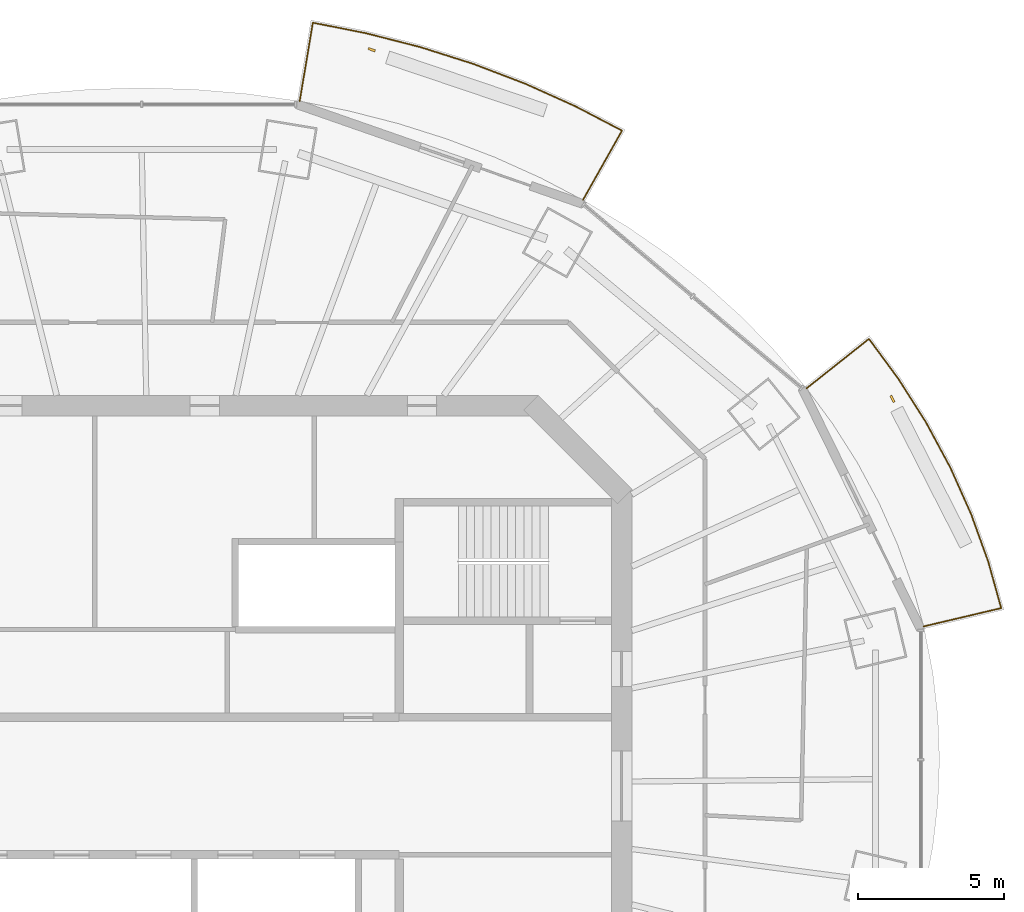
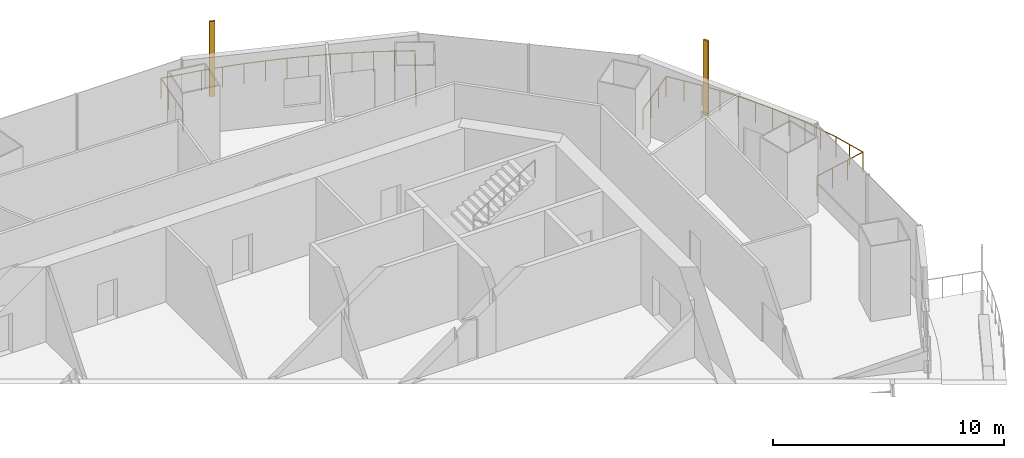
# One storey, part 15 of 16: 2 railings, 2 shading devices.
"""IFC4 building model written with IfcOpenShell, lengths in metres."""

import ifcopenshell
import ifcopenshell.guid

model = None  # the IFC model being written
_history = None  # IfcOwnerHistory: only IFC2X3 demands one
_inside = {}  # id of a spatial element -> (the spatial element, [elements in it])
_under = {}  # id of a project, library or spatial element -> (it, [spatial elements below it])
_declared = {}  # id of a project -> (the project, [libraries it declares])
_typed = {}  # id of a type object -> (the type object, [elements of that type])
_made_of = {}  # id of a material, layer set ... -> (it, [elements and type objects made of it])


def new_model(schema):
    """Start an empty IFC model of exactly this schema.

    Asked for "IFC4X3", IfcOpenShell would pick the latest addendum, in which some entities
    have other attributes; the version numbers below select the first issue.
    IFC2X3 requires an IfcOwnerHistory on every rooted entity: one is made here for all.
    """
    global model, _history
    if schema == "IFC4X3":
        model = ifcopenshell.file(schema_version=(4, 3, 0, 0))
    else:
        model = ifcopenshell.file(schema=schema)
    _inside.clear()
    _under.clear()
    _declared.clear()
    _typed.clear()
    _made_of.clear()
    _history = None
    if model.schema == "IFC2X3":
        org = make("IfcOrganization", Name="unknown")
        user = make(
            "IfcPersonAndOrganization",
            ThePerson=make("IfcPerson", FamilyName="unknown"),
            TheOrganization=org,
        )
        app = make(
            "IfcApplication",
            ApplicationDeveloper=org,
            Version="unknown",
            ApplicationFullName="unknown",
            ApplicationIdentifier="unknown",
        )
        _history = make(
            "IfcOwnerHistory",
            OwningUser=user,
            OwningApplication=app,
            ChangeAction="ADDED",
            CreationDate=0,
        )
    return model


def make(cls, **values):
    """One entity of the class cls with the attributes given. An attribute that is None is left unset."""
    return model.create_entity(
        cls, **{name: value for name, value in values.items() if value is not None}
    )


def rooted(cls, **values):
    """An entity with a GlobalId (a new one), such as an element, a storey or a relation."""
    return make(cls, GlobalId=ifcopenshell.guid.new(), OwnerHistory=_history, **values)


def si_unit(unit_type, name, prefix=None):
    """IfcSIUnit, for example si_unit("LENGTHUNIT", "METRE", prefix="MILLI")."""
    return make("IfcSIUnit", UnitType=unit_type, Prefix=prefix, Name=name)


def assignment(units):
    """IfcUnitAssignment: the units of a project."""
    return None if units is None else make("IfcUnitAssignment", Units=units)


def point(xyz):
    """IfcCartesianPoint."""
    return None if xyz is None else make("IfcCartesianPoint", Coordinates=xyz)


def direction(xyz):
    """IfcDirection."""
    return None if xyz is None else make("IfcDirection", DirectionRatios=xyz)


def frame(location, z_axis=None, x_axis=None):
    """IfcAxis2Placement3D, a coordinate frame: its origin and axes. An axis left out is left unset."""
    return make(
        "IfcAxis2Placement3D",
        Location=point(location),
        Axis=direction(z_axis),
        RefDirection=direction(x_axis),
    )


def frame_2d(location, x_axis=None):
    """IfcAxis2Placement2D, a coordinate frame in the plane: its origin and x axis."""
    return make(
        "IfcAxis2Placement2D", Location=point(location), RefDirection=direction(x_axis)
    )


def origin():
    """The frame at (0, 0, 0) with its axes left unset."""
    return frame((0.0, 0.0, 0.0))


def origin_2d():
    """The frame at (0, 0) in the plane with its x axis left unset."""
    return frame_2d((0.0, 0.0))


def place(relative_to, where):
    """IfcLocalPlacement: puts the frame where relative to a parent placement (None: the world)."""
    return make(
        "IfcLocalPlacement", PlacementRelTo=relative_to, RelativePlacement=where
    )


def context(
    kind, dimensions, precision=None, world=None, true_north=None, identifier=None
):
    """IfcGeometricRepresentationContext, for example the 3D "Model" context."""
    return make(
        "IfcGeometricRepresentationContext",
        ContextIdentifier=identifier,
        ContextType=kind,
        CoordinateSpaceDimension=dimensions,
        Precision=precision,
        WorldCoordinateSystem=world,
        TrueNorth=true_north,
    )


def subcontext(parent, identifier, kind, view, scale=None):
    """IfcGeometricRepresentationSubContext, for example "Body" below "Model"."""
    return make(
        "IfcGeometricRepresentationSubContext",
        ContextIdentifier=identifier,
        ContextType=kind,
        ParentContext=parent,
        TargetScale=scale,
        TargetView=view,
    )


def project(units=None, contexts=None):
    """IfcProject with its units and contexts."""
    return rooted(
        "IfcProject",
        Name="project",
        RepresentationContexts=contexts,
        UnitsInContext=assignment(units),
    )


def spatial(cls, under=None, at=None, **own):
    """A site, building, storey or space (cls), placed at a placement, below another one or the project."""
    s = rooted(cls, ObjectPlacement=at, **own)
    if under is not None:
        _under.setdefault(under.id(), (under, []))[1].append(s)
    return s


def profile(cls, at=None, kind="AREA", **sizes):
    """A parametric profile (cls). Its sizes go by their IFC names, for example OverallWidth=200.0."""
    return make(cls, ProfileType=kind, Position=at, **sizes)


def rectangle(**sizes):
    """IfcRectangleProfileDef."""
    return profile("IfcRectangleProfileDef", **sizes)


def circle(**sizes):
    """IfcCircleProfileDef."""
    return profile("IfcCircleProfileDef", **sizes)


def extrude(swept, where, along, depth):
    """IfcExtrudedAreaSolid: the profile swept, set in the frame where, extruded along a direction by depth."""
    return make(
        "IfcExtrudedAreaSolid",
        SweptArea=swept,
        Position=where,
        ExtrudedDirection=direction(along),
        Depth=depth,
    )


def shape(context_of_items, identifier, shape_type, items):
    """IfcShapeRepresentation: the items that make up one representation, for example the "Body"."""
    return make(
        "IfcShapeRepresentation",
        ContextOfItems=context_of_items,
        RepresentationIdentifier=identifier,
        RepresentationType=shape_type,
        Items=items,
    )


def material(Name=None, Category=None):
    """IfcMaterial."""
    return make("IfcMaterial", Name=Name, Category=Category)


def material_profile(
    of_material, cross_section, Name=None, Category=None, Priority=None
):
    """IfcMaterialProfile: a cross section and its material."""
    return make(
        "IfcMaterialProfile",
        Name=Name,
        Material=of_material,
        Profile=cross_section,
        Priority=Priority,
        Category=Category,
    )


def profile_set(profiles, Name=None, composite=None):
    """IfcMaterialProfileSet."""
    return make(
        "IfcMaterialProfileSet",
        Name=Name,
        MaterialProfiles=profiles,
        CompositeProfile=composite,
    )


def made_of(thing, what):
    """Note that an element or type object is made of a material, layer set ...; save() writes the relation."""
    if what is not None:
        _made_of.setdefault(what.id(), (what, []))[1].append(thing)
    return thing


def type_object(cls, material=None, **own):
    """A type object (cls), such as IfcWallType, which elements share."""
    return made_of(rooted(cls, **own), material)


def element(
    cls,
    number,
    at=None,
    inside=None,
    cuts=None,
    type_object=None,
    material=None,
    context=None,
    identifier="Body",
    shape_type=None,
    held_by="IfcProductDefinitionShape",
    body=None,
    shapes=None,
    **own,
):
    """One element of the class cls, such as IfcWall. Its Tag is "e" and its number.

    at: its placement. inside: the storey or other place that contains it. cuts: it is an
    opening in that element (IfcRelVoidsElement). A single representation is given by context,
    identifier, shape_type and body (its items); several are given by shapes. held_by: the class
    of the entity that holds the representations. save() writes the other relations.
    """
    e = rooted(cls, Tag="e%d" % number, ObjectPlacement=at, **own)
    if body is not None:
        shapes = [shape(context, identifier, shape_type, body)]
    if shapes is not None:
        e.Representation = make(held_by, Representations=shapes)
    if inside is not None:
        _inside.setdefault(inside.id(), (inside, []))[1].append(e)
    if cuts is not None:
        rooted(
            "IfcRelVoidsElement", RelatingBuildingElement=cuts, RelatedOpeningElement=e
        )
    if type_object is not None:
        _typed.setdefault(type_object.id(), (type_object, []))[1].append(e)
    return made_of(e, material)


def aggregate(whole, parts):
    """IfcRelAggregates: a whole, such as a stair, and the parts it consists of."""
    return rooted("IfcRelAggregates", RelatingObject=whole, RelatedObjects=parts)


def save(model, path):
    """Write the relations noted so far, then the file.

    IfcRelAggregates (storeys below a building ...), IfcRelContainedInSpatialStructure (elements
    in a storey), IfcRelDefinesByType, IfcRelAssociatesMaterial and IfcRelDeclares: one each for
    every whole, place, type object, material and project.
    """
    for whole, parts in _under.values():
        aggregate(whole, parts)
    for where, things in _inside.values():
        rooted(
            "IfcRelContainedInSpatialStructure",
            RelatedElements=things,
            RelatingStructure=where,
        )
    for kind, things in _typed.values():
        rooted("IfcRelDefinesByType", RelatedObjects=things, RelatingType=kind)
    for what, things in _made_of.values():
        rooted("IfcRelAssociatesMaterial", RelatedObjects=things, RelatingMaterial=what)
    for by, libraries in _declared.values():
        rooted("IfcRelDeclares", RelatingContext=by, RelatedDefinitions=libraries)
    model.write(path)


model = new_model("IFC4")

# Units and contexts
model_context = context("Model", 3, precision=1e-05, world=origin(), true_north=direction((0.0, 1.0)))
body_context = subcontext(model_context, "Body", "Model", "MODEL_VIEW")
ifc_project = project(units=[si_unit("LENGTHUNIT", "METRE"), si_unit("AREAUNIT", "SQUARE_METRE"), si_unit("VOLUMEUNIT", "CUBIC_METRE"), si_unit("PLANEANGLEUNIT", "RADIAN"), si_unit("MASSUNIT", "GRAM", prefix="KILO")], contexts=[model_context])

# Site, building, storey
site_placement = place(None, origin())
site = spatial("IfcSite", under=ifc_project, at=site_placement, CompositionType="ELEMENT")
building_placement = place(site_placement, origin())
building = spatial("IfcBuilding", under=site, at=building_placement, Name="Marenthal Gate Tower", CompositionType="ELEMENT")
storey_placement = place(building_placement, frame((0.0, 0.0, 342.60009765625)))
storey = spatial("IfcBuildingStorey", under=building, at=storey_placement, Name="L77", CompositionType="ELEMENT", Elevation=342.60009765625)

# Railings
ifc_material_1 = material(Name="Stainless steel", Category="steel")
railing_type = type_object("IfcRailingType", Name="Balcony guard 1100", PredefinedType="GUARDRAIL", material=ifc_material_1)
railing_1_placement = place(storey_placement, frame((22.322998046875, 13.59423828125, 0.0)))
element("IfcRailing", 1, at=railing_1_placement, inside=storey, type_object=railing_type, Name="Balcony guard L77 bay 1", PredefinedType="GUARDRAIL", context=body_context, shape_type="SweptSolid", body=[
    extrude(circle(Radius=0.02392578125, at=origin_2d()), frame((0.0, 0.0, 1.076171875), z_axis=(0.783569480419, 0.621129810329, -0.01471829055), x_axis=(-0.621197098339, 0.783654365786, 0.0)), (0.0, 0.0, 1.0), 2.720458984375),
    extrude(circle(Radius=0.02392578125, at=origin_2d()), frame((2.131591796875, 1.689697265625, 1.0361328125), z_axis=(0.592673479354, -0.805442826569, 0.0), x_axis=(0.805442826569, 0.592673479354, 0.0)), (0.0, 0.0, 1.0), 1.69580078125),
    extrude(circle(Radius=0.02392578125, at=origin_2d()), frame((3.13671875, 0.32373046875, 1.0361328125), z_axis=(0.535835828865, -0.844322192356, 0.0), x_axis=(0.844322192356, 0.535835828865, 0.0)), (0.0, 0.0, 1.0), 1.76318359375),
    extrude(circle(Radius=0.02392578125, at=origin_2d()), frame((4.08154296875, -1.1650390625, 1.0361328125), z_axis=(0.4738837096, -0.880587434487, 0.0), x_axis=(0.880587434487, 0.4738837096, 0.0)), (0.0, 0.0, 1.0), 1.751708984375),
    extrude(circle(Radius=0.02392578125, at=origin_2d()), frame((4.91162109375, -2.70751953125, 1.0361328125), z_axis=(0.40786794588, -0.91304092938, 0.0), x_axis=(0.91304092938, 0.40786794588, 0.0)), (0.0, 0.0, 1.0), 1.7412109375),
    extrude(circle(Radius=0.02392578125, at=origin_2d()), frame((5.621826171875, -4.29736328125, 1.0361328125), z_axis=(0.338924060667, -0.940813733478, 0.0), x_axis=(0.940813733478, 0.338924060667, 0.0)), (0.0, 0.0, 1.0), 1.732421875),
    extrude(circle(Radius=0.02392578125, at=origin_2d()), frame((6.208984375, -5.92724609375, 1.0361328125), z_axis=(0.268600452735, -0.963251678841, 0.0), x_axis=(0.963251678841, 0.268600452735, 0.0)), (0.0, 0.0, 1.0), 1.645263671875),
    extrude(circle(Radius=0.02392578125, at=origin_2d()), frame((6.65087890625, -7.511962890625, 1.0361328125), z_axis=(-0.97315730439, -0.229669790827, 0.014718970573), x_axis=(0.229694673631, -0.973262737859, 0.0)), (0.0, 0.0, 1.0), 2.72021484375),
    extrude(circle(Radius=0.02099609375, at=origin_2d()), origin(), (0.0, 0.0, 1.0), 1.052001953125),
    extrude(circle(Radius=0.02099609375, at=origin_2d()), frame((0.71044921875, 0.563232421875, -0.013427734375)), (0.0, 0.0, 1.0), 1.052001953125),
    extrude(circle(Radius=0.02099609375, at=origin_2d()), frame((1.421142578125, 1.12646484375, -0.026611328125)), (0.0, 0.0, 1.0), 1.052001953125),
    extrude(circle(Radius=0.02099609375, at=origin_2d()), frame((2.131591796875, 1.689697265625, -0.0400390625)), (0.0, 0.0, 1.0), 1.052001953125),
    extrude(circle(Radius=0.02099609375, at=origin_2d()), frame((2.63427734375, 1.0068359375, -0.0400390625)), (0.0, 0.0, 1.0), 1.052001953125),
    extrude(circle(Radius=0.02099609375, at=origin_2d()), frame((3.13671875, 0.32373046875, -0.0400390625)), (0.0, 0.0, 1.0), 1.052001953125),
    extrude(circle(Radius=0.02099609375, at=origin_2d()), frame((3.609130859375, -0.420654296875, -0.0400390625)), (0.0, 0.0, 1.0), 1.052001953125),
    extrude(circle(Radius=0.02099609375, at=origin_2d()), frame((4.08154296875, -1.1650390625, -0.0400390625)), (0.0, 0.0, 1.0), 1.052001953125),
    extrude(circle(Radius=0.02099609375, at=origin_2d()), frame((4.49658203125, -1.936279296875, -0.0400390625)), (0.0, 0.0, 1.0), 1.052001953125),
    extrude(circle(Radius=0.02099609375, at=origin_2d()), frame((4.91162109375, -2.70751953125, -0.0400390625)), (0.0, 0.0, 1.0), 1.052001953125),
    extrude(circle(Radius=0.02099609375, at=origin_2d()), frame((5.2666015625, -3.50244140625, -0.0400390625)), (0.0, 0.0, 1.0), 1.052001953125),
    extrude(circle(Radius=0.02099609375, at=origin_2d()), frame((5.621826171875, -4.29736328125, -0.0400390625)), (0.0, 0.0, 1.0), 1.052001953125),
    extrude(circle(Radius=0.02099609375, at=origin_2d()), frame((5.91552734375, -5.1123046875, -0.0400390625)), (0.0, 0.0, 1.0), 1.052001953125),
    extrude(circle(Radius=0.02099609375, at=origin_2d()), frame((6.208984375, -5.92724609375, -0.0400390625)), (0.0, 0.0, 1.0), 1.052001953125),
    extrude(circle(Radius=0.02099609375, at=origin_2d()), frame((6.429931640625, -6.7197265625, -0.0400390625)), (0.0, 0.0, 1.0), 1.052001953125),
    extrude(circle(Radius=0.02099609375, at=origin_2d()), frame((6.65087890625, -7.511962890625, -0.0400390625)), (0.0, 0.0, 1.0), 1.052001953125),
    extrude(circle(Radius=0.02099609375, at=origin_2d()), frame((5.7685546875, -7.72021484375, -0.026611328125)), (0.0, 0.0, 1.0), 1.052001953125),
    extrude(circle(Radius=0.02099609375, at=origin_2d()), frame((4.885986328125, -7.928466796875, -0.013427734375)), (0.0, 0.0, 1.0), 1.052001953125),
    extrude(circle(Radius=0.02099609375, at=origin_2d()), frame((4.003662109375, -8.13671875, 0.0)), (0.0, 0.0, 1.0), 1.052001953125),
])
railing_2_placement = place(storey_placement, frame((4.998779296875, 23.407470703125, 0.0)))
element("IfcRailing", 2, at=railing_2_placement, inside=storey, type_object=railing_type, Name="Balcony guard L77 bay 3", PredefinedType="GUARDRAIL", context=body_context, shape_type="SweptSolid", body=[
    extrude(circle(Radius=0.02392578125, at=origin_2d()), frame((0.0, 0.0, 1.076171875), z_axis=(0.165312526275, 0.986131399953, -0.014718379104), x_axis=(-0.98623823047, 0.165330435068, 0.0)), (0.0, 0.0, 1.0), 2.720458984375),
    extrude(circle(Radius=0.02392578125, at=origin_2d()), frame((0.44970703125, 2.6826171875, 1.0361328125), z_axis=(0.981021353845, -0.193899724859, 0.0), x_axis=(0.193899724859, 0.981021353845, 0.0)), (0.0, 0.0, 1.0), 1.84326171875),
    extrude(circle(Radius=0.02392578125, at=origin_2d()), frame((2.258056640625, 2.3251953125, 1.0361328125), z_axis=(0.96890861354, -0.24741887278, 0.0), x_axis=(0.24741887278, 0.96890861354, 0.0)), (0.0, 0.0, 1.0), 1.916259765625),
    extrude(circle(Radius=0.02392578125, at=origin_2d()), frame((4.11474609375, 1.85107421875, 1.0361328125), z_axis=(0.953251321023, -0.302178620963, 0.0), x_axis=(0.302178620963, 0.953251321023, 0.0)), (0.0, 0.0, 1.0), 1.907470703125),
    extrude(circle(Radius=0.02392578125, at=origin_2d()), frame((5.93310546875, 1.274658203125, 1.0361328125), z_axis=(0.934293977025, -0.356503526623, 0.0), x_axis=(0.356503526623, 0.934293977025, 0.0)), (0.0, 0.0, 1.0), 1.897705078125),
    extrude(circle(Radius=0.02392578125, at=origin_2d()), frame((7.7060546875, 0.59814453125, 1.0361328125), z_axis=(0.91188517307, -0.410445405792, 0.0), x_axis=(0.410445405792, 0.91188517307, 0.0)), (0.0, 0.0, 1.0), 1.88623046875),
    extrude(circle(Radius=0.02392578125, at=origin_2d()), frame((9.426025390625, -0.176025390625, 1.0361328125), z_axis=(0.886478038646, -0.462770663503, 0.0), x_axis=(0.462770663503, 0.886478038646, 0.0)), (0.0, 0.0, 1.0), 1.793701171875),
    extrude(circle(Radius=0.02392578125, at=origin_2d()), frame((11.01611328125, -1.006103515625, 1.0361328125), z_axis=(-0.490672529522, -0.87121972637, 0.014719278369), x_axis=(0.871314119703, -0.490725692018, 0.0)), (0.0, 0.0, 1.0), 2.72021484375),
    extrude(circle(Radius=0.02099609375, at=origin_2d()), origin(), (0.0, 0.0, 1.0), 1.052001953125),
    extrude(circle(Radius=0.02099609375, at=origin_2d()), frame((0.14990234375, 0.894287109375, -0.013427734375)), (0.0, 0.0, 1.0), 1.052001953125),
    extrude(circle(Radius=0.02099609375, at=origin_2d()), frame((0.2998046875, 1.788330078125, -0.026611328125)), (0.0, 0.0, 1.0), 1.052001953125),
    extrude(circle(Radius=0.02099609375, at=origin_2d()), frame((0.44970703125, 2.6826171875, -0.0400390625)), (0.0, 0.0, 1.0), 1.052001953125),
    extrude(circle(Radius=0.02099609375, at=origin_2d()), frame((1.35400390625, 2.50390625, -0.0400390625)), (0.0, 0.0, 1.0), 1.052001953125),
    extrude(circle(Radius=0.02099609375, at=origin_2d()), frame((2.258056640625, 2.3251953125, -0.0400390625)), (0.0, 0.0, 1.0), 1.052001953125),
    extrude(circle(Radius=0.02099609375, at=origin_2d()), frame((3.1865234375, 2.088134765625, -0.0400390625)), (0.0, 0.0, 1.0), 1.052001953125),
    extrude(circle(Radius=0.02099609375, at=origin_2d()), frame((4.11474609375, 1.85107421875, -0.0400390625)), (0.0, 0.0, 1.0), 1.052001953125),
    extrude(circle(Radius=0.02099609375, at=origin_2d()), frame((5.02392578125, 1.56298828125, -0.0400390625)), (0.0, 0.0, 1.0), 1.052001953125),
    extrude(circle(Radius=0.02099609375, at=origin_2d()), frame((5.93310546875, 1.274658203125, -0.0400390625)), (0.0, 0.0, 1.0), 1.052001953125),
    extrude(circle(Radius=0.02099609375, at=origin_2d()), frame((6.819580078125, 0.9365234375, -0.0400390625)), (0.0, 0.0, 1.0), 1.052001953125),
    extrude(circle(Radius=0.02099609375, at=origin_2d()), frame((7.7060546875, 0.59814453125, -0.0400390625)), (0.0, 0.0, 1.0), 1.052001953125),
    extrude(circle(Radius=0.02099609375, at=origin_2d()), frame((8.56591796875, 0.2109375, -0.0400390625)), (0.0, 0.0, 1.0), 1.052001953125),
    extrude(circle(Radius=0.02099609375, at=origin_2d()), frame((9.426025390625, -0.176025390625, -0.0400390625)), (0.0, 0.0, 1.0), 1.052001953125),
    extrude(circle(Radius=0.02099609375, at=origin_2d()), frame((10.22119140625, -0.591064453125, -0.0400390625)), (0.0, 0.0, 1.0), 1.052001953125),
    extrude(circle(Radius=0.02099609375, at=origin_2d()), frame((11.01611328125, -1.006103515625, -0.0400390625)), (0.0, 0.0, 1.0), 1.052001953125),
    extrude(circle(Radius=0.02099609375, at=origin_2d()), frame((10.5712890625, -1.796142578125, -0.026611328125)), (0.0, 0.0, 1.0), 1.052001953125),
    extrude(circle(Radius=0.02099609375, at=origin_2d()), frame((10.126220703125, -2.5859375, -0.013427734375)), (0.0, 0.0, 1.0), 1.052001953125),
    extrude(circle(Radius=0.02099609375, at=origin_2d()), frame((9.681396484375, -3.3759765625, 0.0)), (0.0, 0.0, 1.0), 1.052001953125),
])

# Shading devices
ifc_material_2 = material(Name="Terracotta", Category="masonry")
ifc_material_profile = material_profile(ifc_material_2, rectangle(XDim=0.25, YDim=0.080078125, at=origin_2d()), Name="Terracotta baguette 250x80")
ifc_profile_set = profile_set([ifc_material_profile], Name="Terracotta")
shading_device_type = type_object("IfcShadingDeviceType", Name="Terracotta BAGUETTE SCREEN 250x80", PredefinedType="USERDEFINED", material=ifc_profile_set)
for number, where, z_axis, x_axis, name in (
    (3, (25.25830078125, 13.232421875, -0.0400390625), (0.0, 0.0, 1.0), (-0.441297921184, 0.897360654787, 0.0), "Terracotta BAGUETTE L77 bay 1R"),
    (4, (7.461181640625, 25.16748046875, -0.0400390625), (0.0, 0.0, 1.0), (-0.944185799872, 0.329413380602, 0.0), "Terracotta BAGUETTE L77 bay 3R"),
):
    element("IfcShadingDevice", number, at=place(storey_placement, frame(where, z_axis=z_axis, x_axis=x_axis)), inside=storey, type_object=shading_device_type, Name=name, ObjectType="BAGUETTE SCREEN", PredefinedType="USERDEFINED", context=body_context, shape_type="SweptSolid", body=[
        extrude(rectangle(XDim=0.25, YDim=0.080078125, at=origin_2d()), origin(), (0.0, 0.0, 1.0), 3.969970703125),
    ])

save(model, "model.ifc")
